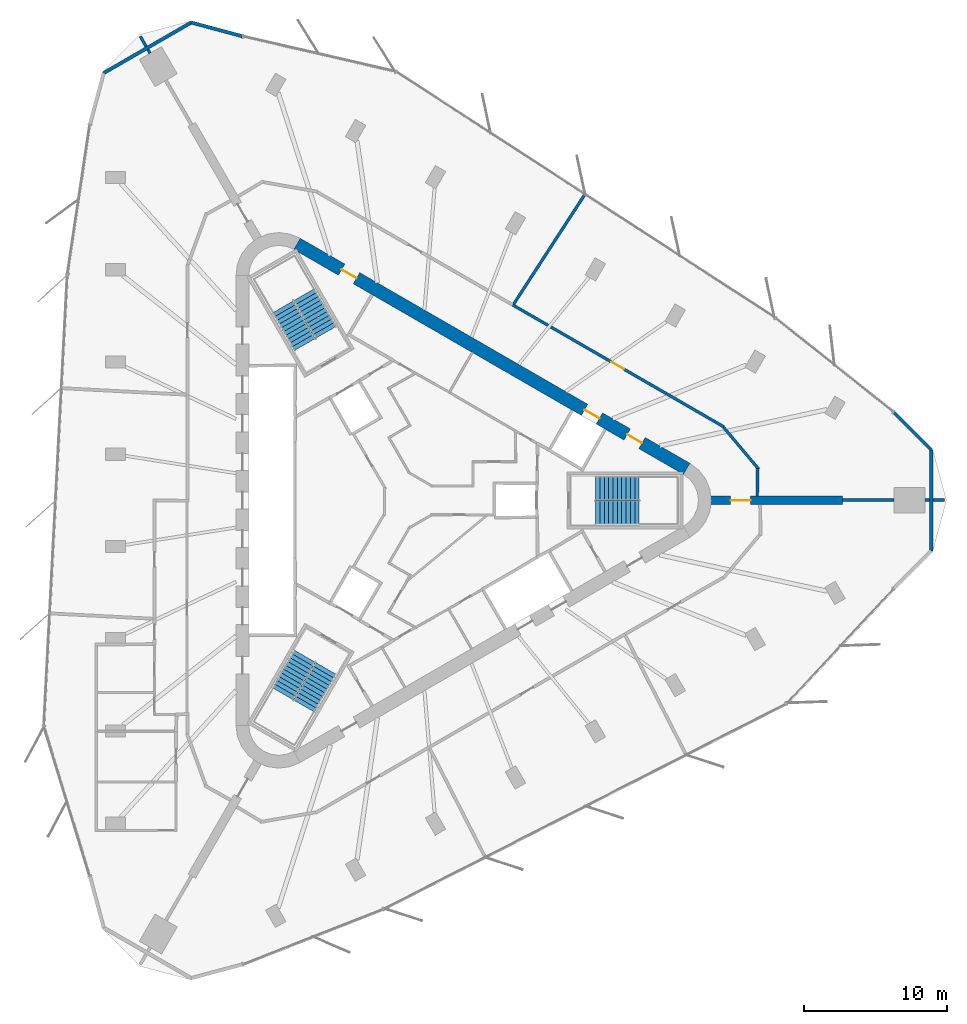
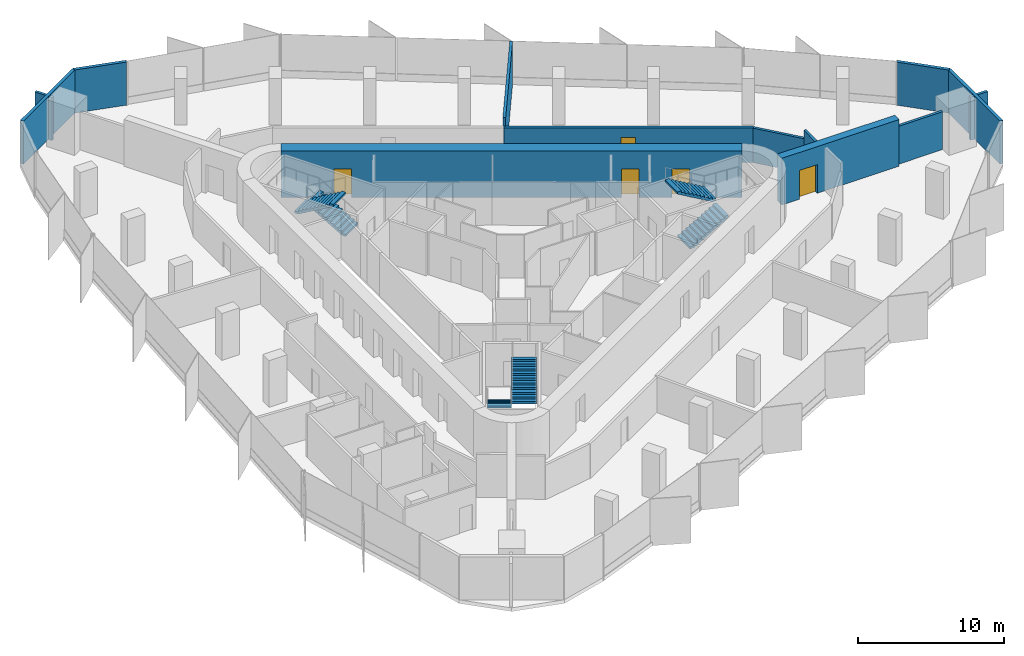
# One storey, part 12 of 13: 15 walls, 6 stair flights, 5 doors, 5 openings, 3 elements without a shape of their own.
"""IFC4 building model written with IfcOpenShell, lengths in metres."""

from ifc_helpers import new_model, si_unit, direction, frame, frame_2d, origin, place, context, subcontext, project, spatial, polyline, rectangle, outline, extrude, material, layer, layer_set, type_object, element, fill, aggregate, save


model = new_model("IFC4")

# Units and contexts
model_context = context("Model", 3, precision=1e-05, world=origin(), true_north=direction((0.0, 1.0)))
body_context = subcontext(model_context, "Body", "Model", "MODEL_VIEW")
ifc_project = project(units=[si_unit("LENGTHUNIT", "METRE"), si_unit("AREAUNIT", "SQUARE_METRE"), si_unit("VOLUMEUNIT", "CUBIC_METRE"), si_unit("PLANEANGLEUNIT", "RADIAN"), si_unit("MASSUNIT", "GRAM", prefix="KILO")], contexts=[model_context])

# Site, building, storey
site_placement = place(None, origin())
site = spatial("IfcSite", under=ifc_project, at=site_placement, CompositionType="ELEMENT")
building_placement = place(site_placement, origin())
building = spatial("IfcBuilding", under=site, at=building_placement, Name="Tanit Gate Tower", CompositionType="ELEMENT")
storey_placement = place(building_placement, frame((0.0, 0.0, 314.300048828125)))
storey = spatial("IfcBuildingStorey", under=building, at=storey_placement, Name="L70", CompositionType="ELEMENT", Elevation=314.300048828125)

# Wall, opening, door
ifc_material_1 = material(Name="Concrete C40/50", Category="concrete")
ifc_layer_1 = layer(ifc_material_1, 0.60009765625)
ifc_layer_set_1 = layer_set([ifc_layer_1], Name="BUTTRESS FIN 600 C40/50")
wall_type_1 = type_object("IfcWallType", Name="BUTTRESS FIN 600 C40/50", PredefinedType="SHEAR", material=ifc_layer_set_1)
wall_1_placement = place(storey_placement, frame((21.14990234375, 0.0, 0.0), z_axis=(0.0, 0.0, 1.0), x_axis=(1.0, 0.0, 0.0)))
wall_1 = element("IfcWall", 1, at=wall_1_placement, inside=storey, type_object=wall_type_1, Name="BUTTRESS FIN", PredefinedType="SHEAR", context=body_context, shape_type="SweptSolid", body=[
    extrude(rectangle(XDim=9.253662109375, YDim=0.60009765625, at=frame_2d((4.626953125, 0.0))), origin(), (0.0, 0.0, 1.0), 3.89990234375),
])
opening_1_placement = place(wall_1_placement, frame((1.39990234375, 0.0, 0.0)))
opening_1 = element("IfcOpeningElement", 2, at=opening_1_placement, cuts=wall_1, Name="Opening P14-S19-F-E-1", PredefinedType="OPENING", context=body_context, shape_type="SweptSolid", body=[
    extrude(rectangle(XDim=1.39990234375, YDim=2.39990234375, at=frame_2d((0.699951171875, 1.199951171875))), frame((0.0, 0.31005859375, 0.0), z_axis=(0.0, -1.0, 0.0), x_axis=(1.0, 0.0, 0.0)), (0.0, 0.0, 1.0), 0.6201171875),
])
ifc_material_2 = material(Name="Timber door leaf", Category="wood")
door_type_1 = type_object("IfcDoorType", Name="INT-DOOR-FIN-PAIR-1400", OperationType="NOTDEFINED", PredefinedType="NOTDEFINED", material=ifc_material_2)
door_1_placement = place(opening_1_placement, origin())
door_1 = element("IfcDoor", 3, at=door_1_placement, inside=storey, type_object=door_type_1, Name="Door P14-S19-F-E-1", OperationType="DOUBLE_DOOR_SINGLE_SWING", OverallHeight=2.39990234375, OverallWidth=1.39990234375, PredefinedType="NOTDEFINED", context=body_context, shape_type="SweptSolid", body=[
    extrude(rectangle(XDim=1.39990234375, YDim=2.39990234375, at=frame_2d((0.699951171875, 1.199951171875))), frame((0.0, 0.02490234375, 0.0), z_axis=(0.0, -1.0, 0.0), x_axis=(1.0, 0.0, 0.0)), (0.0, 0.0, 1.0), 0.050048828125),
])
fill(opening_1, door_1)

# Wall, openings, doors
ifc_material_3 = material(Name="Concrete C40/50", Category="concrete")
ifc_layer_2 = layer(ifc_material_3, 0.89990234375)
ifc_layer_set_2 = layer_set([ifc_layer_2], Name="CORE WALL 900 C40/50")
wall_type_2 = type_object("IfcWallType", Name="CORE WALL 900 C40/50", PredefinedType="SHEAR", material=ifc_layer_set_2)
wall_2_placement = place(storey_placement, frame((19.47509765625, 2.20849609375, 0.0), z_axis=(0.0, 0.0, 1.0), x_axis=(-0.866028369851, 0.499994862586, 0.0)))
wall_2 = element("IfcWall", 4, at=wall_2_placement, inside=storey, type_object=wall_type_2, Name="CORE WALL", PredefinedType="SHEAR", context=body_context, shape_type="SweptSolid", body=[
    extrude(rectangle(XDim=31.523193359375, YDim=0.89990234375, at=frame_2d((15.76171875, 0.0))), origin(), (0.0, 0.0, 1.0), 3.89990234375),
])
opening_2_placement = place(wall_2_placement, frame((7.0615234375, 0.0, 0.0)))
opening_2 = element("IfcOpeningElement", 5, at=opening_2_placement, cuts=wall_2, Name="Opening LDHL8-S19", PredefinedType="OPENING", context=body_context, shape_type="SweptSolid", body=[
    extrude(rectangle(XDim=1.199951171875, YDim=2.39990234375, at=frame_2d((0.60009765625, 1.199951171875))), frame((0.0, 0.4599609375, 0.0), z_axis=(0.0, -1.0, 0.0), x_axis=(1.0, 0.0, 0.0)), (0.0, 0.0, 1.0), 0.919921875),
])
opening_3_placement = place(wall_2_placement, frame((3.611572265625, 0.0, 0.0)))
opening_3 = element("IfcOpeningElement", 6, at=opening_3_placement, cuts=wall_2, Name="Opening F12-S19-FL1", PredefinedType="OPENING", context=body_context, shape_type="SweptSolid", body=[
    extrude(rectangle(XDim=1.199951171875, YDim=2.39990234375, at=frame_2d((0.60009765625, 1.199951171875))), frame((0.0, 0.4599609375, 0.0), z_axis=(0.0, -1.0, 0.0), x_axis=(1.0, 0.0, 0.0)), (0.0, 0.0, 1.0), 0.919921875),
])
opening_4_placement = place(wall_2_placement, frame((26.711669921875, 0.0, 0.0)))
opening_4 = element("IfcOpeningElement", 7, at=opening_4_placement, cuts=wall_2, Name="Opening F12-S19-S2", PredefinedType="OPENING", context=body_context, shape_type="SweptSolid", body=[
    extrude(rectangle(XDim=1.199951171875, YDim=2.39990234375, at=frame_2d((0.60009765625, 1.199951171875))), frame((0.0, 0.4599609375, 0.0), z_axis=(0.0, -1.0, 0.0), x_axis=(1.0, 0.0, 0.0)), (0.0, 0.0, 1.0), 0.919921875),
])
ifc_material_4 = material(Name="Fire-rated steel door leaf", Category="steel")
door_type_2 = type_object("IfcDoorType", Name="INT-DOOR-FIRE-LOBBY-1200", OperationType="NOTDEFINED", PredefinedType="USERDEFINED", material=ifc_material_4)
door_2_placement = place(opening_3_placement, origin())
door_2 = element("IfcDoor", 8, at=door_2_placement, inside=storey, type_object=door_type_2, Name="Door F12-S19-FL1", ObjectType="FIRE DOOR", OperationType="SINGLE_SWING_LEFT", OverallHeight=2.39990234375, OverallWidth=1.199951171875, PredefinedType="USERDEFINED", context=body_context, shape_type="SweptSolid", body=[
    extrude(rectangle(XDim=1.199951171875, YDim=2.39990234375, at=frame_2d((0.60009765625, 1.199951171875))), frame((0.0, 0.02490234375, 0.0), z_axis=(0.0, -1.0, 0.0), x_axis=(1.0, 0.0, 0.0)), (0.0, 0.0, 1.0), 0.050048828125),
])
fill(opening_3, door_2)
door_3_placement = place(opening_4_placement, origin())
door_3 = element("IfcDoor", 9, at=door_3_placement, inside=storey, type_object=door_type_2, Name="Door F12-S19-S2", ObjectType="FIRE DOOR", OperationType="SINGLE_SWING_LEFT", OverallHeight=2.39990234375, OverallWidth=1.199951171875, PredefinedType="USERDEFINED", context=body_context, shape_type="SweptSolid", body=[
    extrude(rectangle(XDim=1.199951171875, YDim=2.39990234375, at=frame_2d((0.60009765625, 1.199951171875))), frame((0.0, 0.02490234375, 0.0), z_axis=(0.0, -1.0, 0.0), x_axis=(1.0, 0.0, 0.0)), (0.0, 0.0, 1.0), 0.050048828125),
])
fill(opening_4, door_3)
ifc_material_5 = material(Name="Stainless steel sliding door leaf", Category="steel")
door_type_3 = type_object("IfcDoorType", Name="INT-DOOR-LANDING-1200", OperationType="NOTDEFINED", PredefinedType="USERDEFINED", material=ifc_material_5)
door_4_placement = place(opening_2_placement, origin())
door_4 = element("IfcDoor", 10, at=door_4_placement, inside=storey, type_object=door_type_3, Name="Door LDHL8-S19", ObjectType="LANDING DOOR", OperationType="SLIDING_TO_LEFT", OverallHeight=2.39990234375, OverallWidth=1.199951171875, PredefinedType="USERDEFINED", context=body_context, shape_type="SweptSolid", body=[
    extrude(rectangle(XDim=1.199951171875, YDim=2.39990234375, at=frame_2d((0.60009765625, 1.199951171875))), frame((0.0, 0.02490234375, 0.0), z_axis=(0.0, -1.0, 0.0), x_axis=(1.0, 0.0, 0.0)), (0.0, 0.0, 1.0), 0.050048828125),
])
fill(opening_2, door_4)

# Walls
ifc_material_6 = material(Name="Concrete C30/37 with bronze anodised aluminium cladding", Category="concrete")
ifc_layer_3 = layer(ifc_material_6, 0.239990234375)
ifc_layer_set_3 = layer_set([ifc_layer_3], Name="Facade wall bronze clad 240")
wall_type_3 = type_object("IfcWallType", Name="Facade wall bronze clad 240", PredefinedType="SOLIDWALL", material=ifc_layer_set_3)
wall_3_placement = place(storey_placement, frame((-11.654296875, 32.517822265625, 0.0), z_axis=(0.0, 0.0, 1.0), x_axis=(-0.965928052649, 0.258810736071, 0.0)))
element("IfcWall", 11, at=wall_3_placement, inside=storey, type_object=wall_type_3, Name="Bronze-clad facade wall L70 NW.arc1", PredefinedType="SOLIDWALL", context=body_context, shape_type="SweptSolid", body=[
    extrude(rectangle(XDim=3.705322265625, YDim=0.239990234375, at=frame_2d((1.8525390625, 0.0))), origin(), (0.0, 0.0, 1.0), 3.599853515625),
])
wall_4_placement = place(storey_placement, frame((-15.2333984375, 33.476806640625, 0.0), z_axis=(0.0, 0.0, 1.0), x_axis=(-0.866031377081, -0.499989653803, 0.0)))
element("IfcWall", 12, at=wall_4_placement, inside=storey, type_object=wall_type_3, Name="Bronze-clad facade wall L70 NW.arc2", PredefinedType="SOLIDWALL", context=body_context, shape_type="SweptSolid", body=[
    extrude(rectangle(XDim=7.092041015625, YDim=0.239990234375, at=frame_2d((3.5458984375, 0.0))), origin(), (0.0, 0.0, 1.0), 3.599853515625),
])
wall_5_placement = place(storey_placement, frame((36.6083984375, -3.5458984375, 0.0), z_axis=(0.0, 0.0, 1.0), x_axis=(0.0, 1.0, 0.0)))
element("IfcWall", 13, at=wall_5_placement, inside=storey, type_object=wall_type_3, Name="Bronze-clad facade wall L70 E.arc2", PredefinedType="SOLIDWALL", context=body_context, shape_type="SweptSolid", body=[
    extrude(rectangle(XDim=7.091796875, YDim=0.239990234375, at=frame_2d((3.5458984375, 0.0))), origin(), (0.0, 0.0, 1.0), 3.599853515625),
])
wall_6_placement = place(storey_placement, frame((36.6083984375, 3.5458984375, 0.0), z_axis=(0.0, 0.0, 1.0), x_axis=(-0.707106781187, 0.707106781187, 0.0)))
element("IfcWall", 14, at=wall_6_placement, inside=storey, type_object=wall_type_3, Name="Bronze-clad facade wall L70 E.arc3", PredefinedType="SOLIDWALL", context=body_context, shape_type="SweptSolid", body=[
    extrude(rectangle(XDim=3.696533203125, YDim=0.239990234375, at=frame_2d((1.84814453125, 0.0))), origin(), (0.0, 0.0, 1.0), 3.599853515625),
])

# Wall, opening, door
ifc_material_7 = material(Name="Fire-rated gypsum board partition")
ifc_layer_4 = layer(ifc_material_7, 0.199951171875)
ifc_layer_set_4 = layer_set([ifc_layer_4], Name="INT-WALL-COMPARTMENT")
wall_type_4 = type_object("IfcWallType", Name="INT-WALL-COMPARTMENT", PredefinedType="PARTITIONING", material=ifc_layer_set_4)
wall_7_placement = place(storey_placement, frame((22.074462890625, 5.153076171875, 0.0), z_axis=(0.0, 0.0, 1.0), x_axis=(-0.866024844342, 0.500000968981, 0.0)))
wall_7 = element("IfcWall", 15, at=wall_7_placement, inside=storey, type_object=wall_type_4, Name="Wall Compartment W107", PredefinedType="PARTITIONING", context=body_context, shape_type="SweptSolid", body=[
    extrude(rectangle(XDim=17.07275390625, YDim=0.199951171875, at=frame_2d((8.536376953125, 0.0))), origin(), (0.0, 0.0, 1.0), 2.8798828125),
])
opening_5_placement = place(wall_7_placement, frame((8.074951171875, 0.0, 0.0)))
opening_5 = element("IfcOpeningElement", 16, at=opening_5_placement, cuts=wall_7, Name="Opening F10-S19-29", PredefinedType="OPENING", context=body_context, shape_type="SweptSolid", body=[
    extrude(rectangle(XDim=1.0, YDim=2.10009765625, at=frame_2d((0.5, 1.050048828125))), frame((0.0, 0.10986328125, 0.0), z_axis=(0.0, -1.0, 0.0), x_axis=(1.0, 0.0, 0.0)), (0.0, 0.0, 1.0), 0.219970703125),
])
ifc_material_8 = material(Name="Fire-rated steel door leaf", Category="steel")
door_type_4 = type_object("IfcDoorType", Name="INT-DOOR-FIRE-1000", OperationType="NOTDEFINED", PredefinedType="USERDEFINED", material=ifc_material_8)
door_5_placement = place(opening_5_placement, origin())
door_5 = element("IfcDoor", 17, at=door_5_placement, inside=storey, type_object=door_type_4, Name="Door F10-S19-29", ObjectType="FIRE DOOR", OperationType="SINGLE_SWING_LEFT", OverallHeight=2.10009765625, OverallWidth=1.0, PredefinedType="USERDEFINED", context=body_context, shape_type="SweptSolid", body=[
    extrude(rectangle(XDim=1.0, YDim=2.10009765625, at=frame_2d((0.5, 1.050048828125))), frame((0.0, 0.02490234375, 0.0), z_axis=(0.0, -1.0, 0.0), x_axis=(1.0, 0.0, 0.0)), (0.0, 0.0, 1.0), 0.050048828125),
])
fill(opening_5, door_5)

# Walls
wall_8_placement = place(storey_placement, frame((24.520751953125, 2.1845703125, 0.0), z_axis=(0.0, 0.0, 1.0), x_axis=(-0.642781993054, 0.766049155998, 0.0)))
element("IfcWall", 18, at=wall_8_placement, inside=storey, type_object=wall_type_4, Name="Wall Compartment W108", PredefinedType="PARTITIONING", context=body_context, shape_type="SweptSolid", body=[
    extrude(rectangle(XDim=3.84033203125, YDim=0.199951171875, at=frame_2d((1.920166015625, 0.0))), origin(), (0.0, 0.0, 1.0), 2.8798828125),
])
wall_9_placement = place(storey_placement, frame((24.420166015625, 0.300048828125, 0.0), z_axis=(0.0, 0.0, 1.0), x_axis=(0.013193472226, 0.999912962358, 0.0)))
element("IfcWall", 19, at=wall_9_placement, inside=storey, type_object=wall_type_4, Name="Wall Compartment W109", PredefinedType="PARTITIONING", context=body_context, shape_type="SweptSolid", body=[
    extrude(rectangle(XDim=1.924560546875, YDim=0.199951171875, at=frame_2d((0.96240234375, 0.0))), origin(), (0.0, 0.0, 1.0), 3.599853515625),
])
wall_10_placement = place(storey_placement, frame((-18.80126953125, 32.5048828125, 0.0), z_axis=(0.0, 0.0, 1.0), x_axis=(0.499970888758, -0.866042210515, 0.0)))
element("IfcWall", 20, at=wall_10_placement, inside=storey, type_object=wall_type_4, Name="Wall Compartment W130", PredefinedType="PARTITIONING", context=body_context, shape_type="SweptSolid", body=[
    extrude(rectangle(XDim=0.822265625, YDim=0.199951171875, at=frame_2d((0.4111328125, 0.0))), origin(), (0.0, 0.0, 1.0), 3.599853515625),
])
wall_11_placement = place(storey_placement, frame((-18.270263671875, 31.5849609375, 0.0), z_axis=(0.0, 0.0, 1.0), x_axis=(0.500091252813, -0.865972712538, 0.0)))
element("IfcWall", 21, at=wall_11_placement, inside=storey, type_object=wall_type_4, Name="Wall Compartment W130x1", PredefinedType="PARTITIONING", context=body_context, shape_type="SweptSolid", body=[
    extrude(rectangle(XDim=0.3056640625, YDim=0.199951171875, at=frame_2d((0.15283203125, 0.0))), origin(), (0.0, 0.0, 1.0), 3.599853515625),
])
wall_12_placement = place(storey_placement, frame((7.36328125, 13.76220703125, 0.0), z_axis=(0.0, 0.0, 1.0), x_axis=(0.544349469572, 0.838858542888, 0.0)))
element("IfcWall", 22, at=wall_12_placement, inside=storey, type_object=wall_type_4, Name="Wall Compartment W132", PredefinedType="PARTITIONING", context=body_context, shape_type="SweptSolid", body=[
    extrude(rectangle(XDim=9.1494140625, YDim=0.199951171875, at=frame_2d((4.57470703125, 0.0))), origin(), (0.0, 0.0, 1.0), 3.599853515625),
])
wall_13_placement = place(storey_placement, frame((30.403564453125, 0.0185546875, 0.0), z_axis=(0.0, 0.0, 1.0), x_axis=(0.999994861514, 0.00320576758, 0.0)))
element("IfcWall", 23, at=wall_13_placement, inside=storey, type_object=wall_type_4, Name="Wall Compartment W133", PredefinedType="PARTITIONING", context=body_context, shape_type="SweptSolid", body=[
    extrude(rectangle(XDim=3.579345703125, YDim=0.199951171875, at=frame_2d((1.78955078125, 0.0))), origin(), (0.0, 0.0, 1.0), 3.169921875),
])
wall_14_placement = place(storey_placement, frame((36.182861328125, 0.030029296875, 0.0), z_axis=(0.0, 0.0, 1.0), x_axis=(1.0, 0.0, 0.0)))
element("IfcWall", 24, at=wall_14_placement, inside=storey, type_object=wall_type_4, Name="Wall Compartment W134", PredefinedType="PARTITIONING", context=body_context, shape_type="SweptSolid", body=[
    extrude(rectangle(XDim=0.3056640625, YDim=0.199951171875, at=frame_2d((0.15283203125, 0.0))), origin(), (0.0, 0.0, 1.0), 3.599853515625),
])
wall_15_placement = place(storey_placement, frame((36.728515625, 0.030029296875, 0.0), z_axis=(0.0, 0.0, 1.0), x_axis=(1.0, 0.0, 0.0)))
element("IfcWall", 25, at=wall_15_placement, inside=storey, type_object=wall_type_4, Name="Wall Compartment W134x1", PredefinedType="PARTITIONING", context=body_context, shape_type="SweptSolid", body=[
    extrude(rectangle(XDim=0.822021484375, YDim=0.199951171875, at=frame_2d((0.4111328125, 0.0))), origin(), (0.0, 0.0, 1.0), 3.599853515625),
])

# Stair, stair flights
ifc_material_9 = material(Name="Concrete C40/50", Category="concrete")
stair_type = type_object("IfcStairType", Name="INT-STAIR-EXIT", PredefinedType="HALF_TURN_STAIR", material=ifc_material_9)
stair_1_placement = place(storey_placement, origin())
stair_1 = element("IfcStair", 26, at=stair_1_placement, inside=storey, type_object=stair_type, Name="L70 STAIR S1", PredefinedType="HALF_TURN_STAIR")
ifc_material_10 = material(Name="Concrete C40/50", Category="concrete")
stair_flight_type = type_object("IfcStairFlightType", Name="INT-STAIR-FLIGHT", PredefinedType="STRAIGHT", material=ifc_material_10)
stair_flight_1_placement = place(storey_placement, frame((13.094970703125, -0.8525390625, 0.0), z_axis=(0.0, 0.0, 1.0), x_axis=(1.0, 0.0, 0.0)))
stair_flight_1 = element("IfcStairFlight", 27, at=stair_flight_1_placement, type_object=stair_flight_type, Name="S1 flight 1", NumberOfRisers=11, NumberOfTreads=10, PredefinedType="STRAIGHT", RiserHeight=0.177272727, TreadLength=0.3051, context=body_context, shape_type="SweptSolid", body=[
    extrude(outline(polyline([(0.0, 0.0), (0.0, 0.17724609375), (0.30517578125, 0.17724609375), (0.30517578125, 0.3544921875), (0.610107421875, 0.3544921875), (0.610107421875, 0.53173828125), (0.915283203125, 0.53173828125), (0.915283203125, 0.708984375), (1.220458984375, 0.708984375), (1.220458984375, 0.886474609375), (1.525390625, 0.886474609375), (1.525390625, 1.063720703125), (1.83056640625, 1.063720703125), (1.83056640625, 1.240966796875), (2.1357421875, 1.240966796875), (2.1357421875, 1.418212890625), (2.44091796875, 1.418212890625), (2.44091796875, 1.595458984375), (2.745849609375, 1.595458984375), (2.745849609375, 1.772705078125), (3.051025390625, 1.772705078125), (3.051025390625, 1.949951171875), (3.051025390625, 1.599365234375), (0.29833984375, 0.0), (0.0, 0.0)])), frame((0.0, 0.84765625, 0.0), z_axis=(0.0, -1.0, 0.0), x_axis=(1.0, 0.0, 0.0)), (0.0, 0.0, 1.0), 1.695068359375),
])
stair_flight_2_placement = place(storey_placement, frame((16.14599609375, 0.8525390625, 1.949951171875), z_axis=(0.0, 0.0, 1.0), x_axis=(-1.0, 0.0, 0.0)))
stair_flight_2 = element("IfcStairFlight", 28, at=stair_flight_2_placement, type_object=stair_flight_type, Name="S1 flight 2", NumberOfRisers=11, NumberOfTreads=10, PredefinedType="STRAIGHT", RiserHeight=0.177272727, TreadLength=0.3051, context=body_context, shape_type="SweptSolid", body=[
    extrude(outline(polyline([(0.0, 0.0), (0.0, 0.17724609375), (0.30517578125, 0.17724609375), (0.30517578125, 0.3544921875), (0.610107421875, 0.3544921875), (0.610107421875, 0.53173828125), (0.915283203125, 0.53173828125), (0.915283203125, 0.708984375), (1.220458984375, 0.708984375), (1.220458984375, 0.886474609375), (1.525390625, 0.886474609375), (1.525390625, 1.063720703125), (1.83056640625, 1.063720703125), (1.83056640625, 1.240966796875), (2.1357421875, 1.240966796875), (2.1357421875, 1.418212890625), (2.44091796875, 1.418212890625), (2.44091796875, 1.595458984375), (2.745849609375, 1.595458984375), (2.745849609375, 1.772705078125), (3.051025390625, 1.772705078125), (3.051025390625, 1.949951171875), (3.051025390625, 1.599365234375), (0.29833984375, 0.0), (0.0, 0.0)])), frame((0.0, 0.84765625, 0.0), z_axis=(0.0, -1.0, 0.0), x_axis=(1.0, 0.0, 0.0)), (0.0, 0.0, 1.0), 1.695068359375),
])
aggregate(stair_1, [stair_flight_1, stair_flight_2])

stair_2_placement = place(storey_placement, origin())
stair_2 = element("IfcStair", 29, at=stair_2_placement, inside=storey, type_object=stair_type, Name="L70 STAIR S2", PredefinedType="HALF_TURN_STAIR")
stair_flight_3_placement = place(storey_placement, frame((-5.808349609375, 11.766357421875, 0.0), z_axis=(0.0, 0.0, 1.0), x_axis=(-0.5, 0.866025403784, 0.0)))
stair_flight_3 = element("IfcStairFlight", 30, at=stair_flight_3_placement, type_object=stair_flight_type, Name="S2 flight 1", NumberOfRisers=11, NumberOfTreads=10, PredefinedType="STRAIGHT", RiserHeight=0.177272727, TreadLength=0.30492, context=body_context, shape_type="SweptSolid", body=[
    extrude(outline(polyline([(0.0, 0.0), (0.0, 0.17724609375), (0.304931640625, 0.17724609375), (0.304931640625, 0.3544921875), (0.60986328125, 0.3544921875), (0.60986328125, 0.53173828125), (0.914794921875, 0.53173828125), (0.914794921875, 0.708984375), (1.2197265625, 0.708984375), (1.2197265625, 0.886474609375), (1.524658203125, 0.886474609375), (1.524658203125, 1.063720703125), (1.82958984375, 1.063720703125), (1.82958984375, 1.240966796875), (2.134521484375, 1.240966796875), (2.134521484375, 1.418212890625), (2.439453125, 1.418212890625), (2.439453125, 1.595458984375), (2.744384765625, 1.595458984375), (2.744384765625, 1.772705078125), (3.04931640625, 1.772705078125), (3.04931640625, 1.949951171875), (3.04931640625, 1.599365234375), (0.29833984375, 0.0), (0.0, 0.0)])), frame((0.0, 0.84716796875, 0.0), z_axis=(0.0, -1.0, 0.0), x_axis=(1.0, 0.0, 0.0)), (0.0, 0.0, 1.0), 1.694091796875),
])
stair_flight_4_placement = place(storey_placement, frame((-8.810302734375, 13.553955078125, 1.949951171875), z_axis=(0.0, 0.0, 1.0), x_axis=(0.5, -0.866025403784, 0.0)))
stair_flight_4 = element("IfcStairFlight", 31, at=stair_flight_4_placement, type_object=stair_flight_type, Name="S2 flight 2", NumberOfRisers=11, NumberOfTreads=10, PredefinedType="STRAIGHT", RiserHeight=0.177272727, TreadLength=0.30492, context=body_context, shape_type="SweptSolid", body=[
    extrude(outline(polyline([(0.0, 0.0), (0.0, 0.17724609375), (0.304931640625, 0.17724609375), (0.304931640625, 0.3544921875), (0.60986328125, 0.3544921875), (0.60986328125, 0.53173828125), (0.914794921875, 0.53173828125), (0.914794921875, 0.708984375), (1.2197265625, 0.708984375), (1.2197265625, 0.886474609375), (1.524658203125, 0.886474609375), (1.524658203125, 1.063720703125), (1.82958984375, 1.063720703125), (1.82958984375, 1.240966796875), (2.134521484375, 1.240966796875), (2.134521484375, 1.418212890625), (2.439453125, 1.418212890625), (2.439453125, 1.595458984375), (2.744384765625, 1.595458984375), (2.744384765625, 1.772705078125), (3.04931640625, 1.772705078125), (3.04931640625, 1.949951171875), (3.04931640625, 1.599365234375), (0.29833984375, 0.0), (0.0, 0.0)])), frame((0.0, 0.84716796875, 0.0), z_axis=(0.0, -1.0, 0.0), x_axis=(1.0, 0.0, 0.0)), (0.0, 0.0, 1.0), 1.694091796875),
])
aggregate(stair_2, [stair_flight_3, stair_flight_4])

stair_3_placement = place(storey_placement, origin())
stair_3 = element("IfcStair", 32, at=stair_3_placement, inside=storey, type_object=stair_type, Name="L70 STAIR S3", PredefinedType="HALF_TURN_STAIR")
stair_flight_5_placement = place(storey_placement, frame((-7.285888671875, -10.914306640625, 0.0), z_axis=(0.0, 0.0, 1.0), x_axis=(-0.5, -0.866025403784, 0.0)))
stair_flight_5 = element("IfcStairFlight", 33, at=stair_flight_5_placement, type_object=stair_flight_type, Name="S3 flight 1", NumberOfRisers=11, NumberOfTreads=10, PredefinedType="STRAIGHT", RiserHeight=0.177272727, TreadLength=0.3051, context=body_context, shape_type="SweptSolid", body=[
    extrude(outline(polyline([(0.0, 0.0), (0.0, 0.17724609375), (0.30517578125, 0.17724609375), (0.30517578125, 0.3544921875), (0.610107421875, 0.3544921875), (0.610107421875, 0.53173828125), (0.915283203125, 0.53173828125), (0.915283203125, 0.708984375), (1.220458984375, 0.708984375), (1.220458984375, 0.886474609375), (1.525390625, 0.886474609375), (1.525390625, 1.063720703125), (1.83056640625, 1.063720703125), (1.83056640625, 1.240966796875), (2.1357421875, 1.240966796875), (2.1357421875, 1.418212890625), (2.44091796875, 1.418212890625), (2.44091796875, 1.595458984375), (2.745849609375, 1.595458984375), (2.745849609375, 1.772705078125), (3.051025390625, 1.772705078125), (3.051025390625, 1.949951171875), (3.051025390625, 1.599365234375), (0.29833984375, 0.0), (0.0, 0.0)])), frame((0.0, 0.84765625, 0.0), z_axis=(0.0, -1.0, 0.0), x_axis=(1.0, 0.0, 0.0)), (0.0, 0.0, 1.0), 1.695068359375),
])
stair_flight_6_placement = place(storey_placement, frame((-7.334716796875, -14.4091796875, 1.949951171875), z_axis=(0.0, 0.0, 1.0), x_axis=(0.5, 0.866025403784, 0.0)))
stair_flight_6 = element("IfcStairFlight", 34, at=stair_flight_6_placement, type_object=stair_flight_type, Name="S3 flight 2", NumberOfRisers=11, NumberOfTreads=10, PredefinedType="STRAIGHT", RiserHeight=0.177272727, TreadLength=0.3051, context=body_context, shape_type="SweptSolid", body=[
    extrude(outline(polyline([(0.0, 0.0), (0.0, 0.17724609375), (0.30517578125, 0.17724609375), (0.30517578125, 0.3544921875), (0.610107421875, 0.3544921875), (0.610107421875, 0.53173828125), (0.915283203125, 0.53173828125), (0.915283203125, 0.708984375), (1.220458984375, 0.708984375), (1.220458984375, 0.886474609375), (1.525390625, 0.886474609375), (1.525390625, 1.063720703125), (1.83056640625, 1.063720703125), (1.83056640625, 1.240966796875), (2.1357421875, 1.240966796875), (2.1357421875, 1.418212890625), (2.44091796875, 1.418212890625), (2.44091796875, 1.595458984375), (2.745849609375, 1.595458984375), (2.745849609375, 1.772705078125), (3.051025390625, 1.772705078125), (3.051025390625, 1.949951171875), (3.051025390625, 1.599365234375), (0.29833984375, 0.0), (0.0, 0.0)])), frame((0.0, 0.84765625, 0.0), z_axis=(0.0, -1.0, 0.0), x_axis=(1.0, 0.0, 0.0)), (0.0, 0.0, 1.0), 1.695068359375),
])
aggregate(stair_3, [stair_flight_5, stair_flight_6])

save(model, "model.ifc")
